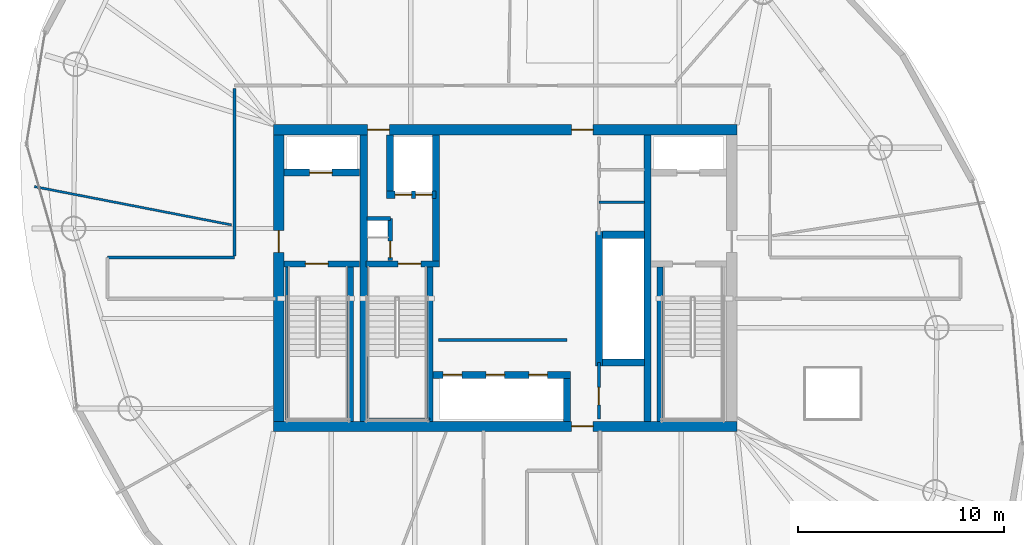
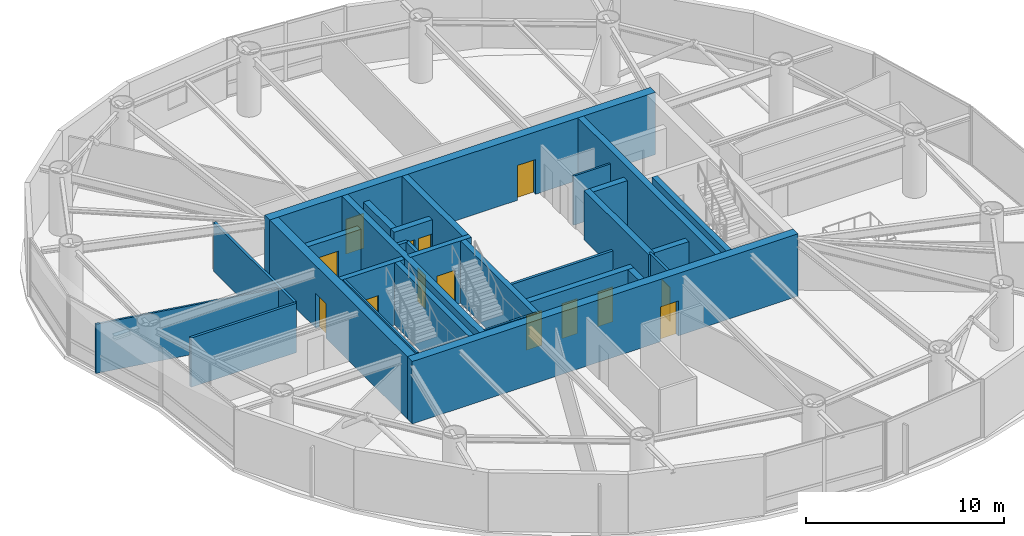
# One storey, part 16 of 21: 29 walls, 14 doors, 14 openings.
"""IFC4 building model written with IfcOpenShell, lengths in metres."""

from ifc_helpers import new_model, si_unit, direction, frame, frame_2d, origin, place, context, subcontext, project, spatial, rectangle, extrude, material, layer, layer_set, type_object, element, fill, save


model = new_model("IFC4")

# Units and contexts
model_context = context("Model", 3, precision=1e-05, world=origin(), true_north=direction((0.0, 1.0)))
body_context = subcontext(model_context, "Body", "Model", "MODEL_VIEW")
ifc_project = project(units=[si_unit("LENGTHUNIT", "METRE"), si_unit("AREAUNIT", "SQUARE_METRE"), si_unit("VOLUMEUNIT", "CUBIC_METRE"), si_unit("PLANEANGLEUNIT", "RADIAN"), si_unit("MASSUNIT", "GRAM", prefix="KILO")], contexts=[model_context])

# Site, building, storey
site_placement = place(None, origin())
site = spatial("IfcSite", under=ifc_project, at=site_placement, CompositionType="ELEMENT")
building_placement = place(site_placement, origin())
building = spatial("IfcBuilding", under=site, at=building_placement, Name="Bramvorn Convention Spire", CompositionType="ELEMENT")
storey_placement = place(building_placement, frame((0.0, 0.0, 186.60009765625)))
storey = spatial("IfcBuildingStorey", under=building, at=storey_placement, Name="L47", CompositionType="ELEMENT", Elevation=186.60009765625)

# Wall, opening, door
ifc_material_1 = material(Name="Concrete C50/60", Category="concrete")
ifc_layer_1 = layer(ifc_material_1, 0.5)
ifc_layer_set_1 = layer_set([ifc_layer_1], Name="Concrete C50/60 - WL-CORE-500")
wall_type_1 = type_object("IfcWallType", Name="WL-CORE-500", PredefinedType="SHEAR", material=ifc_layer_set_1)
wall_1_placement = place(storey_placement, frame((26.75, 18.800048828125, 0.0), z_axis=(0.0, 0.0, 1.0), x_axis=(1.0, 0.0, 0.0)))
wall_1 = element("IfcWall", 1, at=wall_1_placement, inside=storey, type_object=wall_type_1, Name="L47 South RC core shear wall", PredefinedType="SHEAR", context=body_context, shape_type="SweptSolid", body=[
    extrude(rectangle(XDim=22.5, YDim=0.5, at=frame_2d((11.25, 0.0))), origin(), (0.0, 0.0, 1.0), 3.849853515625),
])
opening_1_placement = place(wall_1_placement, frame((14.469970703125, 0.0, 0.0)))
opening_1 = element("IfcOpeningElement", 2, at=opening_1_placement, cuts=wall_1, Name="Opening DL-105", PredefinedType="OPENING", context=body_context, shape_type="SweptSolid", body=[
    extrude(rectangle(XDim=1.050048828125, YDim=2.14990234375, at=frame_2d((0.52490234375, 1.074951171875))), frame((0.0, 0.260009765625, 0.0), z_axis=(0.0, -1.0, 0.0), x_axis=(1.0, 0.0, 0.0)), (0.0, 0.0, 1.0), 0.52001953125),
])
ifc_material_2 = material(Name="Smoke-Sealed Fire Lobby Timber-Core Door", Category="wood")
door_type_1 = type_object("IfcDoorType", Name="DR-LOBBY-1050", OperationType="NOTDEFINED", PredefinedType="DOOR", material=ifc_material_2)
door_1_placement = place(opening_1_placement, origin())
door_1 = element("IfcDoor", 3, at=door_1_placement, inside=storey, type_object=door_type_1, Name="L47 South Lift Lobby fire door", OperationType="SINGLE_SWING_RIGHT", OverallHeight=2.14990234375, OverallWidth=1.050048828125, PredefinedType="DOOR", context=body_context, shape_type="SweptSolid", body=[
    extrude(rectangle(XDim=1.050048828125, YDim=2.14990234375, at=frame_2d((0.52490234375, 1.074951171875))), frame((0.0, 0.02490234375, 0.0), z_axis=(0.0, -1.0, 0.0), x_axis=(1.0, 0.0, 0.0)), (0.0, 0.0, 1.0), 0.050048828125),
])
fill(opening_1, door_1)

# Wall, openings, doors
wall_2_placement = place(storey_placement, frame((26.75, 33.199951171875, 0.0), z_axis=(0.0, 0.0, 1.0), x_axis=(1.0, 0.0, 0.0)))
wall_2 = element("IfcWall", 4, at=wall_2_placement, inside=storey, type_object=wall_type_1, Name="L47 North RC core shear wall", PredefinedType="SHEAR", context=body_context, shape_type="SweptSolid", body=[
    extrude(rectangle(XDim=22.5, YDim=0.5, at=frame_2d((11.25, 0.0))), origin(), (0.0, 0.0, 1.0), 3.849853515625),
])
opening_2_placement = place(wall_2_placement, frame((4.570068359375, 0.0, 0.0)))
opening_2 = element("IfcOpeningElement", 5, at=opening_2_placement, cuts=wall_2, Name="Opening DL-105", PredefinedType="OPENING", context=body_context, shape_type="SweptSolid", body=[
    extrude(rectangle(XDim=1.050048828125, YDim=2.14990234375, at=frame_2d((0.52490234375, 1.074951171875))), frame((0.0, 0.260009765625, 0.0), z_axis=(0.0, -1.0, 0.0), x_axis=(1.0, 0.0, 0.0)), (0.0, 0.0, 1.0), 0.52001953125),
])
opening_3_placement = place(wall_2_placement, frame((14.469970703125, 0.0, 0.0)))
opening_3 = element("IfcOpeningElement", 6, at=opening_3_placement, cuts=wall_2, Name="Opening DL-105", PredefinedType="OPENING", context=body_context, shape_type="SweptSolid", body=[
    extrude(rectangle(XDim=1.050048828125, YDim=2.14990234375, at=frame_2d((0.52490234375, 1.074951171875))), frame((0.0, 0.260009765625, 0.0), z_axis=(0.0, -1.0, 0.0), x_axis=(1.0, 0.0, 0.0)), (0.0, 0.0, 1.0), 0.52001953125),
])
door_2_placement = place(opening_2_placement, origin())
door_2 = element("IfcDoor", 7, at=door_2_placement, inside=storey, type_object=door_type_1, Name="L47 Service & Stair ST3 Lobby north corridor door", OperationType="SINGLE_SWING_LEFT", OverallHeight=2.14990234375, OverallWidth=1.050048828125, PredefinedType="DOOR", context=body_context, shape_type="SweptSolid", body=[
    extrude(rectangle(XDim=1.050048828125, YDim=2.14990234375, at=frame_2d((0.52490234375, 1.074951171875))), frame((0.0, 0.02490234375, 0.0), z_axis=(0.0, -1.0, 0.0), x_axis=(1.0, 0.0, 0.0)), (0.0, 0.0, 1.0), 0.050048828125),
])
fill(opening_2, door_2)
door_3_placement = place(opening_3_placement, origin())
door_3 = element("IfcDoor", 8, at=door_3_placement, inside=storey, type_object=door_type_1, Name="L47 North Lift Lobby fire door", OperationType="SINGLE_SWING_LEFT", OverallHeight=2.14990234375, OverallWidth=1.050048828125, PredefinedType="DOOR", context=body_context, shape_type="SweptSolid", body=[
    extrude(rectangle(XDim=1.050048828125, YDim=2.14990234375, at=frame_2d((0.52490234375, 1.074951171875))), frame((0.0, 0.02490234375, 0.0), z_axis=(0.0, -1.0, 0.0), x_axis=(1.0, 0.0, 0.0)), (0.0, 0.0, 1.0), 0.050048828125),
])
fill(opening_3, door_3)

# Wall, opening, door
wall_3_placement = place(storey_placement, frame((27.0, 19.050048828125, 0.0), z_axis=(0.0, 0.0, 1.0), x_axis=(0.0, 1.0, 0.0)))
wall_3 = element("IfcWall", 9, at=wall_3_placement, inside=storey, type_object=wall_type_1, Name="L47 West RC core shear wall", PredefinedType="SHEAR", context=body_context, shape_type="SweptSolid", body=[
    extrude(rectangle(XDim=13.89990234375, YDim=0.5, at=frame_2d((6.949951171875, 0.0))), origin(), (0.0, 0.0, 1.0), 3.849853515625),
])
opening_4_placement = place(wall_3_placement, frame((8.199951171875, 0.0, 0.0)))
opening_4 = element("IfcOpeningElement", 10, at=opening_4_placement, cuts=wall_3, Name="Opening DL-105", PredefinedType="OPENING", context=body_context, shape_type="SweptSolid", body=[
    extrude(rectangle(XDim=1.050048828125, YDim=2.14990234375, at=frame_2d((0.52490234375, 1.074951171875))), frame((0.0, 0.260009765625, 0.0), z_axis=(0.0, -1.0, 0.0), x_axis=(1.0, 0.0, 0.0)), (0.0, 0.0, 1.0), 0.52001953125),
])
door_4_placement = place(opening_4_placement, origin())
door_4 = element("IfcDoor", 11, at=door_4_placement, inside=storey, type_object=door_type_1, Name="L47 West Firefighting Lobby corridor door", OperationType="SINGLE_SWING_RIGHT", OverallHeight=2.14990234375, OverallWidth=1.050048828125, PredefinedType="DOOR", context=body_context, shape_type="SweptSolid", body=[
    extrude(rectangle(XDim=1.050048828125, YDim=2.14990234375, at=frame_2d((0.52490234375, 1.074951171875))), frame((0.0, 0.02490234375, 0.0), z_axis=(0.0, -1.0, 0.0), x_axis=(1.0, 0.0, 0.0)), (0.0, 0.0, 1.0), 0.050048828125),
])
fill(opening_4, door_4)

# Walls
ifc_layer_2 = layer(ifc_material_1, 0.35009765625)
ifc_layer_set_2 = layer_set([ifc_layer_2], Name="Concrete C50/60 - WL-CORE-INT-350")
wall_type_2 = type_object("IfcWallType", Name="WL-CORE-INT-350", PredefinedType="SHEAR", material=ifc_layer_set_2)
for number, where, z_axis, x_axis, name in (
    (12, (31.1298828125, 19.050048828125, 0.0), (0.0, 0.0, 1.0), (0.0, 1.0, 0.0), "L47 West internal core shear web"),
    (13, (44.89990234375, 19.050048828125, 0.0), (0.0, 0.0, 1.0), (0.0, 1.0, 0.0), "L47 East internal core shear web"),
):
    element("IfcWall", number, at=place(storey_placement, frame(where, z_axis=z_axis, x_axis=x_axis)), inside=storey, type_object=wall_type_2, Name=name, PredefinedType="SHEAR", context=body_context, shape_type="SweptSolid", body=[
        extrude(rectangle(XDim=13.89990234375, YDim=0.35009765625, at=frame_2d((6.949951171875, 0.0))), origin(), (0.0, 0.0, 1.0), 3.849853515625),
    ])

# Wall, opening, door
wall_4_placement = place(storey_placement, frame((27.25, 31.1201171875, 0.0), z_axis=(0.0, 0.0, 1.0), x_axis=(1.0, 0.0, 0.0)))
wall_4 = element("IfcWall", 14, at=wall_4_placement, inside=storey, type_object=wall_type_2, Name="L47 FE1 shaft front wall", PredefinedType="SHEAR", context=body_context, shape_type="SweptSolid", body=[
    extrude(rectangle(XDim=3.669921875, YDim=0.35009765625, at=frame_2d((1.8349609375, 0.0))), origin(), (0.0, 0.0, 1.0), 3.034912109375),
])
opening_5_placement = place(wall_4_placement, frame((1.25, 0.0, 0.0)))
opening_5 = element("IfcOpeningElement", 15, at=opening_5_placement, cuts=wall_4, Name="Opening LD-110", PredefinedType="OPENING", context=body_context, shape_type="SweptSolid", body=[
    extrude(rectangle(XDim=1.10009765625, YDim=2.14990234375, at=frame_2d((0.550048828125, 1.074951171875))), frame((0.0, 0.18505859375, 0.0), z_axis=(0.0, -1.0, 0.0), x_axis=(1.0, 0.0, 0.0)), (0.0, 0.0, 1.0), 0.3701171875),
])
ifc_material_3 = material(Name="Firefighting & Service Lift Sliding Landing Door", Category="steel")
door_type_2 = type_object("IfcDoorType", Name="DR-LIFT-LD-1100", OperationType="NOTDEFINED", PredefinedType="DOOR", material=ifc_material_3)
door_5_placement = place(opening_5_placement, origin())
door_5 = element("IfcDoor", 16, at=door_5_placement, inside=storey, type_object=door_type_2, Name="L47 Lift FE1 Sliding Landing Door", OperationType="SLIDING_TO_LEFT", OverallHeight=2.14990234375, OverallWidth=1.10009765625, PredefinedType="DOOR", context=body_context, shape_type="SweptSolid", body=[
    extrude(rectangle(XDim=1.10009765625, YDim=2.14990234375, at=frame_2d((0.550048828125, 1.074951171875))), frame((0.0, 0.02490234375, 0.0), z_axis=(0.0, -1.0, 0.0), x_axis=(1.0, 0.0, 0.0)), (0.0, 0.0, 1.0), 0.050048828125),
])
fill(opening_5, door_5)

# Wall
wall_5_placement = place(storey_placement, frame((34.639892578125, 26.68994140625, 0.0), z_axis=(0.0, 0.0, 1.0), x_axis=(0.0, 1.0, 0.0)))
element("IfcWall", 17, at=wall_5_placement, inside=storey, type_object=wall_type_2, Name="L47 SV east core shaft wall", PredefinedType="SHEAR", context=body_context, shape_type="SweptSolid", body=[
    extrude(rectangle(XDim=6.260009765625, YDim=0.35009765625, at=frame_2d((3.1298828125, 0.0))), origin(), (0.0, 0.0, 1.0), 3.849853515625),
])

# Wall, openings, doors
wall_6_placement = place(storey_placement, frame((32.22998046875, 30.050048828125, 0.0), z_axis=(0.0, 0.0, 1.0), x_axis=(1.0, 0.0, 0.0)))
wall_6 = element("IfcWall", 18, at=wall_6_placement, inside=storey, type_object=wall_type_2, Name="L47 SV1/SV2 shaft front wall", PredefinedType="SHEAR", context=body_context, shape_type="SweptSolid", body=[
    extrude(rectangle(XDim=2.409912109375, YDim=0.35009765625, at=frame_2d((1.205078125, 0.0))), origin(), (0.0, 0.0, 1.0), 3.034912109375),
])
opening_6_placement = place(wall_6_placement, frame((0.419921875, 0.0, 0.0)))
opening_6 = element("IfcOpeningElement", 19, at=opening_6_placement, cuts=wall_6, Name="Opening LD-080", PredefinedType="OPENING", context=body_context, shape_type="SweptSolid", body=[
    extrude(rectangle(XDim=0.800048828125, YDim=2.14990234375, at=frame_2d((0.39990234375, 1.074951171875))), frame((0.0, 0.18505859375, 0.0), z_axis=(0.0, -1.0, 0.0), x_axis=(1.0, 0.0, 0.0)), (0.0, 0.0, 1.0), 0.3701171875),
])
opening_7_placement = place(wall_6_placement, frame((1.419921875, 0.0, 0.0)))
opening_7 = element("IfcOpeningElement", 20, at=opening_7_placement, cuts=wall_6, Name="Opening LD-080", PredefinedType="OPENING", context=body_context, shape_type="SweptSolid", body=[
    extrude(rectangle(XDim=0.800048828125, YDim=2.14990234375, at=frame_2d((0.39990234375, 1.074951171875))), frame((0.0, 0.18505859375, 0.0), z_axis=(0.0, -1.0, 0.0), x_axis=(1.0, 0.0, 0.0)), (0.0, 0.0, 1.0), 0.3701171875),
])
ifc_material_4 = material(Name="Service Lift Bi-Parting Landing Door", Category="steel")
door_type_3 = type_object("IfcDoorType", Name="DR-LIFT-LD-800", OperationType="NOTDEFINED", PredefinedType="DOOR", material=ifc_material_4)
door_6_placement = place(opening_6_placement, origin())
door_6 = element("IfcDoor", 21, at=door_6_placement, inside=storey, type_object=door_type_3, Name="L47 Lift SV1 Sliding Landing Door", OperationType="SLIDING_TO_LEFT", OverallHeight=2.14990234375, OverallWidth=0.800048828125, PredefinedType="DOOR", context=body_context, shape_type="SweptSolid", body=[
    extrude(rectangle(XDim=0.800048828125, YDim=2.14990234375, at=frame_2d((0.39990234375, 1.074951171875))), frame((0.0, 0.02490234375, 0.0), z_axis=(0.0, -1.0, 0.0), x_axis=(1.0, 0.0, 0.0)), (0.0, 0.0, 1.0), 0.050048828125),
])
fill(opening_6, door_6)
door_7_placement = place(opening_7_placement, origin())
door_7 = element("IfcDoor", 22, at=door_7_placement, inside=storey, type_object=door_type_3, Name="L47 Lift SV2 Sliding Landing Door", OperationType="SLIDING_TO_LEFT", OverallHeight=2.14990234375, OverallWidth=0.800048828125, PredefinedType="DOOR", context=body_context, shape_type="SweptSolid", body=[
    extrude(rectangle(XDim=0.800048828125, YDim=2.14990234375, at=frame_2d((0.39990234375, 1.074951171875))), frame((0.0, 0.02490234375, 0.0), z_axis=(0.0, -1.0, 0.0), x_axis=(1.0, 0.0, 0.0)), (0.0, 0.0, 1.0), 0.050048828125),
])
fill(opening_7, door_7)

# Walls
wall_7_placement = place(storey_placement, frame((32.39990234375, 30.219970703125, 0.0), z_axis=(0.0, 0.0, 1.0), x_axis=(0.0, 1.0, 0.0)))
element("IfcWall", 23, at=wall_7_placement, inside=storey, type_object=wall_type_2, Name="L47 SV1 west hoistway wall", PredefinedType="SHEAR", context=body_context, shape_type="SweptSolid", body=[
    extrude(rectangle(XDim=2.72998046875, YDim=0.35009765625, at=frame_2d((1.364990234375, 0.0))), origin(), (0.0, 0.0, 1.0), 3.034912109375),
])
wall_8_placement = place(storey_placement, frame((42.550048828125, 21.72998046875, 0.0), z_axis=(0.0, 0.0, 1.0), x_axis=(0.0, 1.0, 0.0)))
element("IfcWall", 24, at=wall_8_placement, inside=storey, type_object=wall_type_2, Name="L47 High-rise lift bank west wall", PredefinedType="SHEAR", context=body_context, shape_type="SweptSolid", body=[
    extrude(rectangle(XDim=6.5400390625, YDim=0.35009765625, at=frame_2d((3.27001953125, 0.0))), origin(), (0.0, 0.0, 1.0), 3.034912109375),
])
for number, where, z_axis, x_axis, name in (
    (25, (42.719970703125, 21.89990234375, 0.0), (0.0, 0.0, 1.0), (1.0, 0.0, 0.0), "L47 High-rise lift bank south wall"),
    (26, (42.719970703125, 28.10009765625, 0.0), (0.0, 0.0, 1.0), (1.0, 0.0, 0.0), "L47 High-rise lift bank north wall"),
):
    element("IfcWall", number, at=place(storey_placement, frame(where, z_axis=z_axis, x_axis=x_axis)), inside=storey, type_object=wall_type_2, Name=name, PredefinedType="SHEAR", context=body_context, shape_type="SweptSolid", body=[
        extrude(rectangle(XDim=2.030029296875, YDim=0.35009765625, at=frame_2d((1.01513671875, 0.0))), origin(), (0.0, 0.0, 1.0), 3.034912109375),
    ])

# Wall, openings, doors
wall_9_placement = place(storey_placement, frame((34.489990234375, 21.300048828125, 0.0), z_axis=(0.0, 0.0, 1.0), x_axis=(1.0, 0.0, 0.0)))
wall_9 = element("IfcWall", 27, at=wall_9_placement, inside=storey, type_object=wall_type_2, Name="L47 Mid-rise bank north landing wall", PredefinedType="SHEAR", context=body_context, shape_type="SweptSolid", body=[
    extrude(rectangle(XDim=6.679931640625, YDim=0.35009765625, at=frame_2d((3.33984375, 0.0))), origin(), (0.0, 0.0, 1.0), 3.034912109375),
])
opening_8_placement = place(wall_9_placement, frame((0.5, 0.0, 0.0)))
opening_8 = element("IfcOpeningElement", 28, at=opening_8_placement, cuts=wall_9, Name="Opening LD-090", PredefinedType="OPENING", context=body_context, shape_type="SweptSolid", body=[
    extrude(rectangle(XDim=0.89990234375, YDim=2.14990234375, at=frame_2d((0.449951171875, 1.074951171875))), frame((0.0, 0.18505859375, 0.0), z_axis=(0.0, -1.0, 0.0), x_axis=(1.0, 0.0, 0.0)), (0.0, 0.0, 1.0), 0.3701171875),
])
opening_9_placement = place(wall_9_placement, frame((2.580078125, 0.0, 0.0)))
opening_9 = element("IfcOpeningElement", 29, at=opening_9_placement, cuts=wall_9, Name="Opening LD-090", PredefinedType="OPENING", context=body_context, shape_type="SweptSolid", body=[
    extrude(rectangle(XDim=0.89990234375, YDim=2.14990234375, at=frame_2d((0.449951171875, 1.074951171875))), frame((0.0, 0.18505859375, 0.0), z_axis=(0.0, -1.0, 0.0), x_axis=(1.0, 0.0, 0.0)), (0.0, 0.0, 1.0), 0.3701171875),
])
opening_10_placement = place(wall_9_placement, frame((4.659912109375, 0.0, 0.0)))
opening_10 = element("IfcOpeningElement", 30, at=opening_10_placement, cuts=wall_9, Name="Opening LD-090", PredefinedType="OPENING", context=body_context, shape_type="SweptSolid", body=[
    extrude(rectangle(XDim=0.89990234375, YDim=2.14990234375, at=frame_2d((0.449951171875, 1.074951171875))), frame((0.0, 0.18505859375, 0.0), z_axis=(0.0, -1.0, 0.0), x_axis=(1.0, 0.0, 0.0)), (0.0, 0.0, 1.0), 0.3701171875),
])
ifc_material_5 = material(Name="Bi-Parting Fire-Rated Lift Landing Door", Category="steel")
door_type_4 = type_object("IfcDoorType", Name="DR-LIFT-LD-900", OperationType="NOTDEFINED", PredefinedType="DOOR", material=ifc_material_5)
door_8_placement = place(opening_8_placement, origin())
door_8 = element("IfcDoor", 31, at=door_8_placement, inside=storey, type_object=door_type_4, Name="L47 Lift PM1 Sliding Landing Door", OperationType="SLIDING_TO_LEFT", OverallHeight=2.14990234375, OverallWidth=0.89990234375, PredefinedType="DOOR", context=body_context, shape_type="SweptSolid", body=[
    extrude(rectangle(XDim=0.89990234375, YDim=2.14990234375, at=frame_2d((0.449951171875, 1.074951171875))), frame((0.0, 0.02490234375, 0.0), z_axis=(0.0, -1.0, 0.0), x_axis=(1.0, 0.0, 0.0)), (0.0, 0.0, 1.0), 0.050048828125),
])
fill(opening_8, door_8)
door_9_placement = place(opening_9_placement, origin())
door_9 = element("IfcDoor", 32, at=door_9_placement, inside=storey, type_object=door_type_4, Name="L47 Lift PM2 Sliding Landing Door", OperationType="SLIDING_TO_LEFT", OverallHeight=2.14990234375, OverallWidth=0.89990234375, PredefinedType="DOOR", context=body_context, shape_type="SweptSolid", body=[
    extrude(rectangle(XDim=0.89990234375, YDim=2.14990234375, at=frame_2d((0.449951171875, 1.074951171875))), frame((0.0, 0.02490234375, 0.0), z_axis=(0.0, -1.0, 0.0), x_axis=(1.0, 0.0, 0.0)), (0.0, 0.0, 1.0), 0.050048828125),
])
fill(opening_9, door_9)
door_10_placement = place(opening_10_placement, origin())
door_10 = element("IfcDoor", 33, at=door_10_placement, inside=storey, type_object=door_type_4, Name="L47 Lift PM3 Sliding Landing Door", OperationType="SLIDING_TO_LEFT", OverallHeight=2.14990234375, OverallWidth=0.89990234375, PredefinedType="DOOR", context=body_context, shape_type="SweptSolid", body=[
    extrude(rectangle(XDim=0.89990234375, YDim=2.14990234375, at=frame_2d((0.449951171875, 1.074951171875))), frame((0.0, 0.02490234375, 0.0), z_axis=(0.0, -1.0, 0.0), x_axis=(1.0, 0.0, 0.0)), (0.0, 0.0, 1.0), 0.050048828125),
])
fill(opening_10, door_10)

# Walls
wall_10_placement = place(storey_placement, frame((41.0, 19.050048828125, 0.0), z_axis=(0.0, 0.0, 1.0), x_axis=(0.0, 1.0, 0.0)))
element("IfcWall", 34, at=wall_10_placement, inside=storey, type_object=wall_type_2, Name="L47 Mid-rise bank east cheek wall", PredefinedType="SHEAR", context=body_context, shape_type="SweptSolid", body=[
    extrude(rectangle(XDim=2.079833984375, YDim=0.35009765625, at=frame_2d((1.0400390625, 0.0))), origin(), (0.0, 0.0, 1.0), 3.034912109375),
])
ifc_material_6 = material(Name="Lightweight En-Suite & Wet-Wall Partition", Category="gypsum")
ifc_layer_3 = layer(ifc_material_6, 0.110107421875)
ifc_layer_set_3 = layer_set([ifc_layer_3], Name="Lightweight En-Suite & Wet-Wall Partition - WL-PART-110")
wall_type_3 = type_object("IfcWallType", Name="WL-PART-110", PredefinedType="PARTITIONING", material=ifc_layer_set_3)
wall_11_placement = place(storey_placement, frame((42.550048828125, 29.679931640625, 0.0), z_axis=(0.0, 0.0, 1.0), x_axis=(1.0, 0.0, 0.0)))
element("IfcWall", 35, at=wall_11_placement, inside=storey, type_object=wall_type_3, Name="L47 KC NE div 1", PredefinedType="PARTITIONING", context=body_context, shape_type="SweptSolid", body=[
    extrude(rectangle(XDim=2.199951171875, YDim=0.110107421875, at=frame_2d((1.10009765625, 0.0))), origin(), (0.0, 0.0, 1.0), 3.034912109375),
])
wall_12_placement = place(storey_placement, frame((24.7099609375, 28.583251953125, 0.0), z_axis=(0.0, 0.0, 1.0), x_axis=(-0.981624902582, 0.190820729041, 0.0)))
element("IfcWall", 36, at=wall_12_placement, inside=storey, type_object=wall_type_3, Name="L47 Tenant suite partition 5", PredefinedType="PARTITIONING", context=body_context, shape_type="SweptSolid", body=[
    extrude(rectangle(XDim=9.749267578125, YDim=0.110107421875, at=frame_2d((4.87451171875, 0.0))), origin(), (0.0, 0.0, 1.0), 3.034912109375),
])
ifc_material_7 = material(Name="Acoustic Metal-Stud Tenant/Corridor Partition", Category="gypsum")
ifc_layer_4 = layer(ifc_material_7, 0.14990234375)
ifc_layer_set_4 = layer_set([ifc_layer_4], Name="Acoustic Metal-Stud Tenant/Corridor Partition - WL-PART-150")
wall_type_4 = type_object("IfcWallType", Name="WL-PART-150", PredefinedType="PARTITIONING", material=ifc_layer_set_4)
wall_13_placement = place(storey_placement, frame((34.75, 23.0, 0.0), z_axis=(0.0, 0.0, 1.0), x_axis=(1.0, 0.0, 0.0)))
element("IfcWall", 37, at=wall_13_placement, inside=storey, type_object=wall_type_4, Name="L47 Mid-rise lift vestibule north wall", PredefinedType="PARTITIONING", context=body_context, shape_type="SweptSolid", body=[
    extrude(rectangle(XDim=6.25, YDim=0.14990234375, at=frame_2d((3.125, 0.0))), origin(), (0.0, 0.0, 1.0), 3.034912109375),
])

# Wall, opening, door
wall_14_placement = place(storey_placement, frame((42.550048828125, 19.14990234375, 0.0), z_axis=(0.0, 0.0, 1.0), x_axis=(0.0, 1.0, 0.0)))
wall_14 = element("IfcWall", 38, at=wall_14_placement, inside=storey, type_object=wall_type_4, Name="L47 KC SE wall", PredefinedType="PARTITIONING", context=body_context, shape_type="SweptSolid", body=[
    extrude(rectangle(XDim=2.75, YDim=0.14990234375, at=frame_2d((1.375, 0.0))), origin(), (0.0, 0.0, 1.0), 3.034912109375),
])
opening_11_placement = place(wall_14_placement, frame((0.699951171875, 0.0, 0.0)))
opening_11 = element("IfcOpeningElement", 39, at=opening_11_placement, cuts=wall_14, Name="Opening DC-085", PredefinedType="OPENING", context=body_context, shape_type="SweptSolid", body=[
    extrude(rectangle(XDim=0.85009765625, YDim=2.10009765625, at=frame_2d((0.425048828125, 1.050048828125))), frame((0.0, 0.0849609375, 0.0), z_axis=(0.0, -1.0, 0.0), x_axis=(1.0, 0.0, 0.0)), (0.0, 0.0, 1.0), 0.169921875),
])
ifc_material_8 = material(Name="Fire-Rated Core Washroom & IDF Door", Category="wood")
door_type_5 = type_object("IfcDoorType", Name="DR-CORE-850", OperationType="NOTDEFINED", PredefinedType="DOOR", material=ifc_material_8)
door_11_placement = place(opening_11_placement, origin())
door_11 = element("IfcDoor", 40, at=door_11_placement, inside=storey, type_object=door_type_5, Name="L47 Core Valve & Riser Room door", OperationType="SINGLE_SWING_LEFT", OverallHeight=2.10009765625, OverallWidth=0.85009765625, PredefinedType="DOOR", context=body_context, shape_type="SweptSolid", body=[
    extrude(rectangle(XDim=0.85009765625, YDim=2.10009765625, at=frame_2d((0.425048828125, 1.050048828125))), frame((0.0, 0.02490234375, 0.0), z_axis=(0.0, -1.0, 0.0), x_axis=(1.0, 0.0, 0.0)), (0.0, 0.0, 1.0), 0.050048828125),
])
fill(opening_11, door_11)

# Walls
wall_15_placement = place(storey_placement, frame((24.85009765625, 27.080078125, 0.0), z_axis=(0.0, 0.0, 1.0), x_axis=(0.0, 1.0, 0.0)))
element("IfcWall", 41, at=wall_15_placement, inside=storey, type_object=wall_type_4, Name="L47 NW gallery cheek", PredefinedType="PARTITIONING", context=body_context, shape_type="SweptSolid", body=[
    extrude(rectangle(XDim=8.119873046875, YDim=0.14990234375, at=frame_2d((4.06005859375, 0.0))), origin(), (0.0, 0.0, 1.0), 3.034912109375),
])
wall_16_placement = place(storey_placement, frame((18.68798828125, 27.0, 0.0), z_axis=(0.0, 0.0, 1.0), x_axis=(1.0, 0.0, 0.0)))
element("IfcWall", 42, at=wall_16_placement, inside=storey, type_object=wall_type_4, Name="L47 West wing spine north wall", PredefinedType="PARTITIONING", context=body_context, shape_type="SweptSolid", body=[
    extrude(rectangle(XDim=6.162109375, YDim=0.14990234375, at=frame_2d((3.0810546875, 0.0))), origin(), (0.0, 0.0, 1.0), 3.034912109375),
])

# Wall, opening, door
ifc_material_9 = material(Name="Gypsum Shaftwall & Rockwool Core Partition", Category="gypsum")
ifc_layer_5 = layer(ifc_material_9, 0.199951171875)
ifc_layer_set_5 = layer_set([ifc_layer_5], Name="Gypsum Shaftwall & Rockwool Core Partition - WL-PART-200-FR")
wall_type_5 = type_object("IfcWallType", Name="WL-PART-200-FR", PredefinedType="PARTITIONING", material=ifc_layer_set_5)
wall_17_placement = place(storey_placement, frame((32.419921875, 26.860107421875, 0.0), z_axis=(0.0, 0.0, 1.0), x_axis=(0.0, 1.0, 0.0)))
wall_17 = element("IfcWall", 43, at=wall_17_placement, inside=storey, type_object=wall_type_5, Name="L47 Telecom riser east wall", PredefinedType="PARTITIONING", context=body_context, shape_type="SweptSolid", body=[
    extrude(rectangle(XDim=2.039794921875, YDim=0.199951171875, at=frame_2d((1.02001953125, 0.0))), origin(), (0.0, 0.0, 1.0), 3.034912109375),
])
opening_12_placement = place(wall_17_placement, frame((0.139892578125, 0.0, 0.0)))
opening_12 = element("IfcOpeningElement", 44, at=opening_12_placement, cuts=wall_17, Name="Opening DR-080", PredefinedType="OPENING", context=body_context, shape_type="SweptSolid", body=[
    extrude(rectangle(XDim=0.800048828125, YDim=2.050048828125, at=frame_2d((0.39990234375, 1.02490234375))), frame((0.0, 0.10986328125, 0.0), z_axis=(0.0, -1.0, 0.0), x_axis=(1.0, 0.0, 0.0)), (0.0, 0.0, 1.0), 0.219970703125),
])
ifc_material_10 = material(Name="Flush Steel Riser Access Door", Category="steel")
door_type_6 = type_object("IfcDoorType", Name="DR-RISER-800", OperationType="NOTDEFINED", PredefinedType="DOOR", material=ifc_material_10)
door_12_placement = place(opening_12_placement, origin())
door_12 = element("IfcDoor", 45, at=door_12_placement, inside=storey, type_object=door_type_6, Name="L47 Telecom riser access door", OperationType="SINGLE_SWING_RIGHT", OverallHeight=2.050048828125, OverallWidth=0.800048828125, PredefinedType="DOOR", context=body_context, shape_type="SweptSolid", body=[
    extrude(rectangle(XDim=0.800048828125, YDim=2.050048828125, at=frame_2d((0.39990234375, 1.02490234375))), frame((0.0, 0.02490234375, 0.0), z_axis=(0.0, -1.0, 0.0), x_axis=(1.0, 0.0, 0.0)), (0.0, 0.0, 1.0), 0.050048828125),
])
fill(opening_12, door_12)

# Wall
wall_18_placement = place(storey_placement, frame((31.300048828125, 28.89990234375, 0.0), z_axis=(0.0, 0.0, 1.0), x_axis=(1.0, 0.0, 0.0)))
element("IfcWall", 46, at=wall_18_placement, inside=storey, type_object=wall_type_5, Name="L47 Telecom riser north wall", PredefinedType="PARTITIONING", context=body_context, shape_type="SweptSolid", body=[
    extrude(rectangle(XDim=1.119873046875, YDim=0.199951171875, at=frame_2d((0.56005859375, 0.0))), origin(), (0.0, 0.0, 1.0), 3.034912109375),
])

# Wall, opening, door
ifc_layer_6 = layer(ifc_material_1, 0.300048828125)
ifc_layer_set_6 = layer_set([ifc_layer_6], Name="Concrete C50/60 - WL-POD-STAIR-300")
wall_type_6 = type_object("IfcWallType", Name="WL-POD-STAIR-300", PredefinedType="SHEAR", material=ifc_layer_set_6)
wall_19_placement = place(storey_placement, frame((27.25, 26.68994140625, 0.0), z_axis=(0.0, 0.0, 1.0), x_axis=(1.0, 0.0, 0.0)))
wall_19 = element("IfcWall", 47, at=wall_19_placement, inside=storey, type_object=wall_type_6, Name="L47 ST1 north fire wall", PredefinedType="SHEAR", context=body_context, shape_type="SweptSolid", body=[
    extrude(rectangle(XDim=3.669921875, YDim=0.300048828125, at=frame_2d((1.8349609375, 0.0))), origin(), (0.0, 0.0, 1.0), 3.849853515625),
])
opening_13_placement = place(wall_19_placement, frame((1.050048828125, 0.0, 0.0)))
opening_13 = element("IfcOpeningElement", 48, at=opening_13_placement, cuts=wall_19, Name="Opening DS-110", PredefinedType="OPENING", context=body_context, shape_type="SweptSolid", body=[
    extrude(rectangle(XDim=1.10009765625, YDim=2.14990234375, at=frame_2d((0.550048828125, 1.074951171875))), frame((0.0, 0.159912109375, 0.0), z_axis=(0.0, -1.0, 0.0), x_axis=(1.0, 0.0, 0.0)), (0.0, 0.0, 1.0), 0.320068359375),
])
ifc_material_11 = material(Name="Fire-Rated Hollow Steel Stairwell Door", Category="steel")
door_type_7 = type_object("IfcDoorType", Name="DR-STAIR-1100", OperationType="NOTDEFINED", PredefinedType="DOOR", material=ifc_material_11)
door_13_placement = place(opening_13_placement, origin())
door_13 = element("IfcDoor", 49, at=door_13_placement, inside=storey, type_object=door_type_7, Name="L47 Stair ST1 fire door", OperationType="SINGLE_SWING_LEFT", OverallHeight=2.14990234375, OverallWidth=1.10009765625, PredefinedType="DOOR", context=body_context, shape_type="SweptSolid", body=[
    extrude(rectangle(XDim=1.10009765625, YDim=2.14990234375, at=frame_2d((0.550048828125, 1.074951171875))), frame((0.0, 0.02490234375, 0.0), z_axis=(0.0, -1.0, 0.0), x_axis=(1.0, 0.0, 0.0)), (0.0, 0.0, 1.0), 0.050048828125),
])
fill(opening_13, door_13)

# Walls
for number, where, z_axis, x_axis, name in (
    (50, (30.489990234375, 19.050048828125, 0.0), (0.0, 0.0, 1.0), (0.0, 1.0, 0.0), "L47 ST1 east bearing wall"),
    (51, (45.510009765625, 19.050048828125, 0.0), (0.0, 0.0, 1.0), (0.0, 1.0, 0.0), "L47 ST2 west bearing wall"),
    (52, (34.340087890625, 19.050048828125, 0.0), (0.0, 0.0, 1.0), (0.0, 1.0, 0.0), "L47 ST3 east bearing wall"),
):
    element("IfcWall", number, at=place(storey_placement, frame(where, z_axis=z_axis, x_axis=x_axis)), inside=storey, type_object=wall_type_6, Name=name, PredefinedType="SHEAR", context=body_context, shape_type="SweptSolid", body=[
        extrude(rectangle(XDim=7.5, YDim=0.300048828125, at=frame_2d((3.75, 0.0))), origin(), (0.0, 0.0, 1.0), 3.849853515625),
    ])

# Wall, opening, door
wall_20_placement = place(storey_placement, frame((31.25, 26.68994140625, 0.0), z_axis=(0.0, 0.0, 1.0), x_axis=(1.0, 0.0, 0.0)))
wall_20 = element("IfcWall", 53, at=wall_20_placement, inside=storey, type_object=wall_type_6, Name="L47 ST3 north lobby wall", PredefinedType="SHEAR", context=body_context, shape_type="SweptSolid", body=[
    extrude(rectangle(XDim=3.56005859375, YDim=0.300048828125, at=frame_2d((1.780029296875, 0.0))), origin(), (0.0, 0.0, 1.0), 3.849853515625),
])
opening_14_placement = place(wall_20_placement, frame((1.550048828125, 0.0, 0.0)))
opening_14 = element("IfcOpeningElement", 54, at=opening_14_placement, cuts=wall_20, Name="Opening DS-110", PredefinedType="OPENING", context=body_context, shape_type="SweptSolid", body=[
    extrude(rectangle(XDim=1.10009765625, YDim=2.14990234375, at=frame_2d((0.550048828125, 1.074951171875))), frame((0.0, 0.159912109375, 0.0), z_axis=(0.0, -1.0, 0.0), x_axis=(1.0, 0.0, 0.0)), (0.0, 0.0, 1.0), 0.320068359375),
])
door_14_placement = place(opening_14_placement, origin())
door_14 = element("IfcDoor", 55, at=door_14_placement, inside=storey, type_object=door_type_7, Name="L47 Stair ST3 fire door", OperationType="SINGLE_SWING_LEFT", OverallHeight=2.14990234375, OverallWidth=1.10009765625, PredefinedType="DOOR", context=body_context, shape_type="SweptSolid", body=[
    extrude(rectangle(XDim=1.10009765625, YDim=2.14990234375, at=frame_2d((0.550048828125, 1.074951171875))), frame((0.0, 0.02490234375, 0.0), z_axis=(0.0, -1.0, 0.0), x_axis=(1.0, 0.0, 0.0)), (0.0, 0.0, 1.0), 0.050048828125),
])
fill(opening_14, door_14)

# Walls
ifc_layer_7 = layer(ifc_material_1, 0.1201171875)
ifc_layer_set_7 = layer_set([ifc_layer_7], Name="Concrete C50/60 - WL-STAIR-RC-120")
wall_type_7 = type_object("IfcWallType", Name="WL-STAIR-RC-120", PredefinedType="SHEAR", material=ifc_layer_set_7)
wall_21_placement = place(storey_placement, frame((27.39501953125, 19.10009765625, 0.0), z_axis=(0.0, 0.0, 1.0), x_axis=(0.0, 1.0, 0.0)))
element("IfcWall", 56, at=wall_21_placement, inside=storey, type_object=wall_type_7, Name="L47 ST1 west bearing shear wall", PredefinedType="SHEAR", context=body_context, shape_type="SweptSolid", body=[
    extrude(rectangle(XDim=7.449951171875, YDim=0.1201171875, at=frame_2d((3.72509765625, 0.0))), origin(), (0.0, 0.0, 1.0), 3.849853515625),
])
wall_22_placement = place(storey_placement, frame((31.300048828125, 19.159912109375, 0.0), z_axis=(0.0, 0.0, 1.0), x_axis=(1.0, 0.0, 0.0)))
element("IfcWall", 57, at=wall_22_placement, inside=storey, type_object=wall_type_7, Name="L47 ST3 south bearing shear wall", PredefinedType="SHEAR", context=body_context, shape_type="SweptSolid", body=[
    extrude(rectangle(XDim=3.0400390625, YDim=0.1201171875, at=frame_2d((1.52001953125, 0.0))), origin(), (0.0, 0.0, 1.0), 3.849853515625),
])

save(model, "model.ifc")
